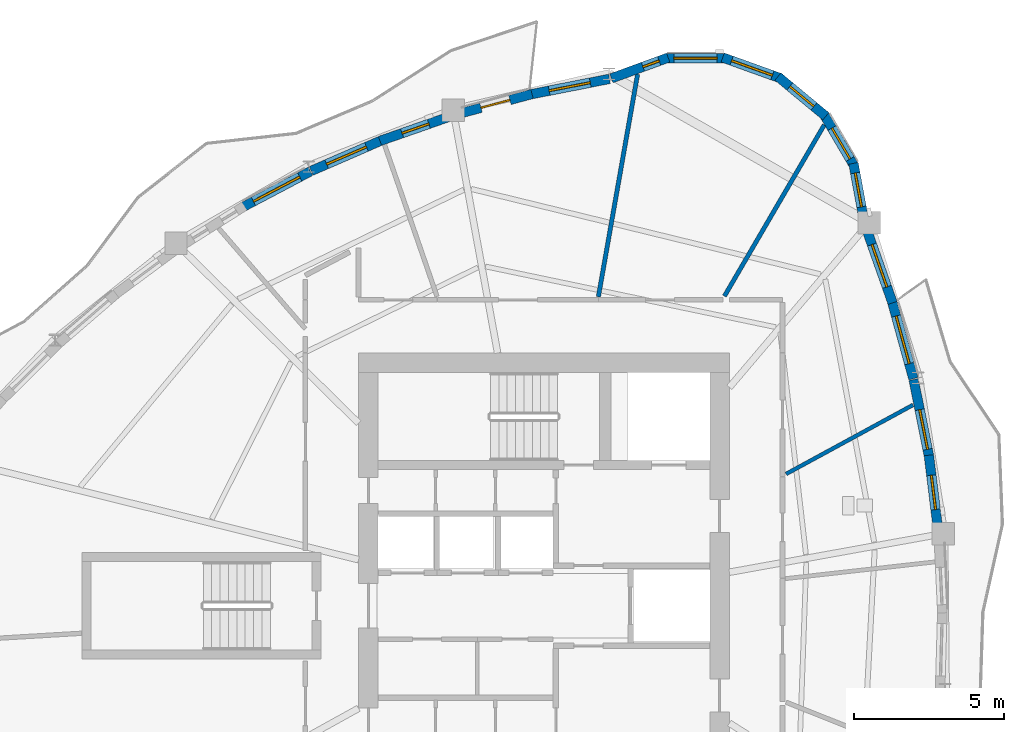
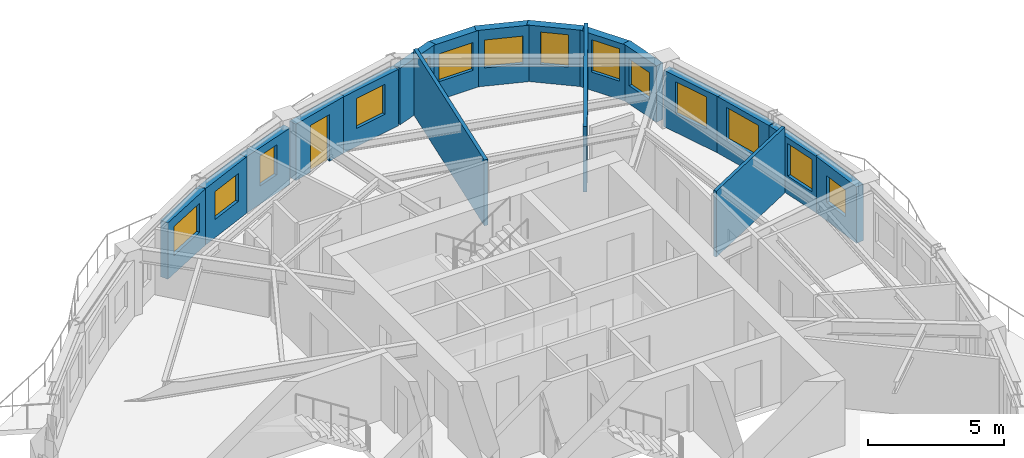
# One storey, part 7 of 12: 18 walls, 14 windows, 1 door, 15 openings.
"""IFC4 building model written with IfcOpenShell, lengths in metres."""

from ifc_helpers import new_model, si_unit, direction, frame, frame_2d, origin, place, context, subcontext, project, spatial, rectangle, extrude, source, transform, mapped, material, layer, layer_set, type_object, element, fill, save


model = new_model("IFC4")

# Units and contexts
model_context = context("Model", 3, precision=1e-05, world=origin(), true_north=direction((0.0, 1.0)))
body_context = subcontext(model_context, "Body", "Model", "MODEL_VIEW")
ifc_project = project(units=[si_unit("LENGTHUNIT", "METRE"), si_unit("AREAUNIT", "SQUARE_METRE"), si_unit("VOLUMEUNIT", "CUBIC_METRE"), si_unit("PLANEANGLEUNIT", "RADIAN"), si_unit("MASSUNIT", "GRAM", prefix="KILO")], contexts=[model_context])

# Site, building, storey
site_placement = place(None, origin())
site = spatial("IfcSite", under=ifc_project, at=site_placement, CompositionType="ELEMENT")
building_placement = place(site_placement, origin())
building = spatial("IfcBuilding", under=site, at=building_placement, Name="Qafzar Sky-Pleat Residences", CompositionType="ELEMENT")
storey_placement = place(building_placement, frame((0.0, 0.0, 184.199951171875)))
storey = spatial("IfcBuildingStorey", under=building, at=storey_placement, Name="L55", CompositionType="ELEMENT", Elevation=184.199951171875)

# Walls
ifc_material_1 = material(Name="Acoustic gypsum plasterboard partition", Category="gypsum")
ifc_layer_1 = layer(ifc_material_1, 0.14501953125)
ifc_layer_set_1 = layer_set([ifc_layer_1], Name="Acoustic gypsum plasterboard partition")
wall_type_1 = type_object("IfcWallType", Name="PART-UNIT-145", PredefinedType="PARTITIONING", material=ifc_layer_set_1)
wall_1_placement = place(storey_placement, frame((32.169677734375, 36.33056640625, 0.0), z_axis=(0.0, 0.0, 1.0), x_axis=(0.173479457804, 0.984837487975, 0.0)))
element("IfcWall", 1, at=wall_1_placement, inside=storey, type_object=wall_type_1, Name="L55 Partition Wall PART-L55-PW-013", PredefinedType="PARTITIONING", context=body_context, shape_type="SweptSolid", body=[
    extrude(rectangle(XDim=7.55859375, YDim=0.14501953125, at=frame_2d((3.779296875, 0.0))), origin(), (0.0, 0.0, 1.0), 2.949951171875),
])
wall_2_placement = place(storey_placement, frame((36.385986328125, 36.353515625, 0.0), z_axis=(0.0, 0.0, 1.0), x_axis=(0.503662452742, 0.863900534609, 0.0)))
element("IfcWall", 2, at=wall_2_placement, inside=storey, type_object=wall_type_1, Name="L55 Partition Wall PART-L55-PW-016", PredefinedType="PARTITIONING", context=body_context, shape_type="SweptSolid", body=[
    extrude(rectangle(XDim=6.623291015625, YDim=0.14501953125, at=frame_2d((3.3115234375, 0.0))), origin(), (0.0, 0.0, 1.0), 2.949951171875),
])
ifc_material_2 = material(Name="Moisture-resistant gypsum partition", Category="gypsum")
ifc_layer_2 = layer(ifc_material_2, 0.1298828125)
ifc_layer_set_2 = layer_set([ifc_layer_2], Name="Moisture-resistant gypsum partition")
wall_type_2 = type_object("IfcWallType", Name="PART-WET-130", PredefinedType="PARTITIONING", material=ifc_layer_set_2)
wall_3_placement = place(storey_placement, frame((38.447998046875, 30.4052734375, 0.0), z_axis=(0.0, 0.0, 1.0), x_axis=(0.878447426807, 0.477839008805, 0.0)))
element("IfcWall", 3, at=wall_3_placement, inside=storey, type_object=wall_type_2, Name="L55 Partition Wall PART-L55-PW-020", PredefinedType="PARTITIONING", context=body_context, shape_type="SweptSolid", body=[
    extrude(rectangle(XDim=4.830322265625, YDim=0.1298828125, at=frame_2d((2.4150390625, 0.0))), origin(), (0.0, 0.0, 1.0), 2.949951171875),
])

# Wall, opening, window
ifc_material_3 = material(Name="Precast concrete C40/50 with honed Riyadh limestone", Category="concrete")
ifc_layer_3 = layer(ifc_material_3, 0.320068359375)
ifc_layer_set_3 = layer_set([ifc_layer_3], Name="Precast concrete C40/50 with honed Riyadh limestone")
wall_type_3 = type_object("IfcWallType", Name="WALL-EXT-320", PredefinedType="SOLIDWALL", material=ifc_layer_set_3)
wall_4_placement = place(storey_placement, frame((43.5283203125, 28.554443359375, 0.0), z_axis=(0.0, 0.0, 1.0), x_axis=(-0.122939257513, 0.99241419728, 0.0)))
wall_4 = element("IfcWall", 4, at=wall_4_placement, inside=storey, type_object=wall_type_3, Name="L55 Limestone Facade Wall 29", PredefinedType="SOLIDWALL", context=body_context, shape_type="SweptSolid", body=[
    extrude(rectangle(XDim=2.496337890625, YDim=0.320068359375, at=frame_2d((1.248046875, 0.0))), origin(), (0.0, 0.0, 1.0), 2.530029296875),
])
opening_1_placement = place(wall_4_placement, frame((0.668212890625, 0.0, 0.820068359375)))
opening_1 = element("IfcOpeningElement", 5, at=opening_1_placement, cuts=wall_4, Name="Opening WN-16", PredefinedType="OPENING", context=body_context, shape_type="SweptSolid", body=[
    extrude(rectangle(XDim=1.14990234375, YDim=1.199951171875, at=frame_2d((0.574951171875, 0.60009765625))), frame((0.0, 0.169921875, 0.0), z_axis=(0.0, -1.0, 0.0), x_axis=(1.0, 0.0, 0.0)), (0.0, 0.0, 1.0), 0.340087890625),
])
ifc_material_4 = material(Name="Solar-control low-E glass in bronze aluminium frame", Category="glass")
window_type_1 = type_object("IfcWindowType", Name="WIN-16", PartitioningType="SINGLE_PANEL", PredefinedType="WINDOW", material=ifc_material_4)
shared_shape_1 = source(origin(), body_context, "Body", "SweptSolid", [
    extrude(rectangle(XDim=1.14990234375, YDim=1.199951171875, at=frame_2d((0.574951171875, 0.60009765625))), frame((0.0, 0.030029296875, 0.0), z_axis=(0.0, -1.0, 0.0), x_axis=(1.0, 0.0, 0.0)), (0.0, 0.0, 1.0), 0.06005859375),
])
window_1_placement = place(opening_1_placement, origin())
window_1 = element("IfcWindow", 6, at=window_1_placement, inside=storey, type_object=window_type_1, Name="L55 Punched Facade Window 29", OverallHeight=1.199951171875, OverallWidth=1.14990234375, PartitioningType="SINGLE_PANEL", PredefinedType="WINDOW", context=body_context, shape_type="MappedRepresentation", body=[
    mapped(shared_shape_1, transform((0.0, 0.0, 0.0), x_axis=(1.0, 0.0, 0.0), y_axis=(0.0, 1.0, 0.0), z_axis=(0.0, 0.0, 1.0), scale=1.0)),
])
fill(opening_1, window_1)

wall_5_placement = place(storey_placement, frame((43.235595703125, 30.945068359375, 0.0), z_axis=(0.0, 0.0, 1.0), x_axis=(-0.196221587905, 0.98055957924, 0.0)))
wall_5 = element("IfcWall", 7, at=wall_5_placement, inside=storey, type_object=wall_type_3, Name="L55 Limestone Facade Wall 30", PredefinedType="SOLIDWALL", context=body_context, shape_type="SweptSolid", body=[
    extrude(rectangle(XDim=2.67138671875, YDim=0.320068359375, at=frame_2d((1.335693359375, 0.0))), origin(), (0.0, 0.0, 1.0), 2.530029296875),
])
opening_2_placement = place(wall_5_placement, frame((0.291259765625, 0.0, 0.820068359375)))
opening_2 = element("IfcOpeningElement", 8, at=opening_2_placement, cuts=wall_5, Name="Opening WN-04", PredefinedType="OPENING", context=body_context, shape_type="SweptSolid", body=[
    extrude(rectangle(XDim=1.35009765625, YDim=1.449951171875, at=frame_2d((0.675048828125, 0.72509765625))), frame((0.0, 0.169921875, 0.0), z_axis=(0.0, -1.0, 0.0), x_axis=(1.0, 0.0, 0.0)), (0.0, 0.0, 1.0), 0.340087890625),
])
window_type_2 = type_object("IfcWindowType", Name="WIN-04", PartitioningType="SINGLE_PANEL", PredefinedType="WINDOW", material=ifc_material_4)
shared_shape_2 = source(origin(), body_context, "Body", "SweptSolid", [
    extrude(rectangle(XDim=1.35009765625, YDim=1.449951171875, at=frame_2d((0.675048828125, 0.72509765625))), frame((0.0, 0.030029296875, 0.0), z_axis=(0.0, -1.0, 0.0), x_axis=(1.0, 0.0, 0.0)), (0.0, 0.0, 1.0), 0.06005859375),
])
window_2_placement = place(opening_2_placement, origin())
window_2 = element("IfcWindow", 9, at=window_2_placement, inside=storey, type_object=window_type_2, Name="L55 Punched Facade Window 30", OverallHeight=1.449951171875, OverallWidth=1.35009765625, PartitioningType="SINGLE_PANEL", PredefinedType="WINDOW", context=body_context, shape_type="MappedRepresentation", body=[
    mapped(shared_shape_2, transform((0.0, 0.0, 0.0), x_axis=(1.0, 0.0, 0.0), y_axis=(0.0, 1.0, 0.0), z_axis=(0.0, 0.0, 1.0), scale=1.0)),
])
fill(opening_2, window_2)

wall_6_placement = place(storey_placement, frame((42.704833984375, 33.592041015625, 0.0), z_axis=(0.0, 0.0, 1.0), x_axis=(-0.266433209731, 0.963853383432, 0.0)))
wall_6 = element("IfcWall", 10, at=wall_6_placement, inside=storey, type_object=wall_type_3, Name="L55 Limestone Facade Wall 31", PredefinedType="SOLIDWALL", context=body_context, shape_type="SweptSolid", body=[
    extrude(rectangle(XDim=2.715087890625, YDim=0.320068359375, at=frame_2d((1.357421875, 0.0))), origin(), (0.0, 0.0, 1.0), 2.530029296875),
])
opening_3_placement = place(wall_6_placement, frame((0.5224609375, 0.0, 0.820068359375)))
opening_3 = element("IfcOpeningElement", 11, at=opening_3_placement, cuts=wall_6, Name="Opening WN-02", PredefinedType="OPENING", context=body_context, shape_type="SweptSolid", body=[
    extrude(rectangle(XDim=1.64990234375, YDim=1.449951171875, at=frame_2d((0.824951171875, 0.72509765625))), frame((0.0, 0.169921875, 0.0), z_axis=(0.0, -1.0, 0.0), x_axis=(1.0, 0.0, 0.0)), (0.0, 0.0, 1.0), 0.340087890625),
])
window_type_3 = type_object("IfcWindowType", Name="WIN-02", PartitioningType="DOUBLE_PANEL_VERTICAL", PredefinedType="WINDOW", material=ifc_material_4)
shared_shape_3 = source(origin(), body_context, "Body", "SweptSolid", [
    extrude(rectangle(XDim=1.64990234375, YDim=1.449951171875, at=frame_2d((0.824951171875, 0.72509765625))), frame((0.0, 0.030029296875, 0.0), z_axis=(0.0, -1.0, 0.0), x_axis=(1.0, 0.0, 0.0)), (0.0, 0.0, 1.0), 0.06005859375),
])
window_3_placement = place(opening_3_placement, origin())
window_3 = element("IfcWindow", 12, at=window_3_placement, inside=storey, type_object=window_type_3, Name="L55 Punched Facade Window 31", OverallHeight=1.449951171875, OverallWidth=1.64990234375, PartitioningType="SINGLE_PANEL", PredefinedType="WINDOW", context=body_context, shape_type="MappedRepresentation", body=[
    mapped(shared_shape_3, transform((0.0, 0.0, 0.0), x_axis=(1.0, 0.0, 0.0), y_axis=(0.0, 1.0, 0.0), z_axis=(0.0, 0.0, 1.0), scale=1.0)),
])
fill(opening_3, window_3)

wall_7_placement = place(storey_placement, frame((42.007568359375, 36.125732421875, 0.0), z_axis=(0.0, 0.0, 1.0), x_axis=(-0.332790959239, 0.94300062431, 0.0)))
wall_7 = element("IfcWall", 13, at=wall_7_placement, inside=storey, type_object=wall_type_3, Name="L55 Limestone Facade Wall 32", PredefinedType="SOLIDWALL", context=body_context, shape_type="SweptSolid", body=[
    extrude(rectangle(XDim=2.6279296875, YDim=0.320068359375, at=frame_2d((1.31396484375, 0.0))), origin(), (0.0, 0.0, 1.0), 2.530029296875),
])
opening_4_placement = place(wall_7_placement, frame((0.56884765625, 0.0, 0.820068359375)))
opening_4 = element("IfcOpeningElement", 14, at=opening_4_placement, cuts=wall_7, Name="Opening WN-03", PredefinedType="OPENING", context=body_context, shape_type="SweptSolid", body=[
    extrude(rectangle(XDim=1.5, YDim=1.449951171875, at=frame_2d((0.75, 0.72509765625))), frame((0.0, 0.169921875, 0.0), z_axis=(0.0, -1.0, 0.0), x_axis=(1.0, 0.0, 0.0)), (0.0, 0.0, 1.0), 0.340087890625),
])
window_type_4 = type_object("IfcWindowType", Name="WIN-03", PartitioningType="DOUBLE_PANEL_VERTICAL", PredefinedType="WINDOW", material=ifc_material_4)
shared_shape_4 = source(origin(), body_context, "Body", "SweptSolid", [
    extrude(rectangle(XDim=1.5, YDim=1.449951171875, at=frame_2d((0.75, 0.72509765625))), frame((0.0, 0.030029296875, 0.0), z_axis=(0.0, -1.0, 0.0), x_axis=(1.0, 0.0, 0.0)), (0.0, 0.0, 1.0), 0.06005859375),
])
window_4_placement = place(opening_4_placement, origin())
window_4 = element("IfcWindow", 15, at=window_4_placement, inside=storey, type_object=window_type_4, Name="L55 Punched Facade Window 32", OverallHeight=1.449951171875, OverallWidth=1.5, PartitioningType="SINGLE_PANEL", PredefinedType="WINDOW", context=body_context, shape_type="MappedRepresentation", body=[
    mapped(shared_shape_4, transform((0.0, 0.0, 0.0), x_axis=(1.0, 0.0, 0.0), y_axis=(0.0, 1.0, 0.0), z_axis=(0.0, 0.0, 1.0), scale=1.0)),
])
fill(opening_4, window_4)

wall_8_placement = place(storey_placement, frame((41.041748046875, 38.945556640625, 0.0), z_axis=(0.0, 0.0, 1.0), x_axis=(-0.182373191939, 0.983229382627, 0.0)))
wall_8 = element("IfcWall", 16, at=wall_8_placement, inside=storey, type_object=wall_type_3, Name="L55 Limestone Facade Wall 33", PredefinedType="SOLIDWALL", context=body_context, shape_type="SweptSolid", body=[
    extrude(rectangle(XDim=1.878173828125, YDim=0.320068359375, at=frame_2d((0.93896484375, 0.0))), origin(), (0.0, 0.0, 1.0), 2.530029296875),
])
opening_5_placement = place(wall_8_placement, frame((0.39892578125, 0.0, 0.820068359375)))
opening_5 = element("IfcOpeningElement", 17, at=opening_5_placement, cuts=wall_8, Name="Opening WN-16", PredefinedType="OPENING", context=body_context, shape_type="SweptSolid", body=[
    extrude(rectangle(XDim=1.14990234375, YDim=1.199951171875, at=frame_2d((0.574951171875, 0.60009765625))), frame((0.0, 0.169921875, 0.0), z_axis=(0.0, -1.0, 0.0), x_axis=(1.0, 0.0, 0.0)), (0.0, 0.0, 1.0), 0.340087890625),
])
window_5_placement = place(opening_5_placement, origin())
window_5 = element("IfcWindow", 18, at=window_5_placement, inside=storey, type_object=window_type_1, Name="L55 Punched Facade Window 33", OverallHeight=1.199951171875, OverallWidth=1.14990234375, PartitioningType="SINGLE_PANEL", PredefinedType="WINDOW", context=body_context, shape_type="MappedRepresentation", body=[
    mapped(shared_shape_1, transform((0.0, 0.0, 0.0), x_axis=(1.0, 0.0, 0.0), y_axis=(0.0, 1.0, 0.0), z_axis=(0.0, 0.0, 1.0), scale=1.0)),
])
fill(opening_5, window_5)

wall_9_placement = place(storey_placement, frame((40.74462890625, 40.670166015625, 0.0), z_axis=(0.0, 0.0, 1.0), x_axis=(-0.506312473438, 0.86235009088, 0.0)))
wall_9 = element("IfcWall", 19, at=wall_9_placement, inside=storey, type_object=wall_type_3, Name="L55 Limestone Facade Wall 34", PredefinedType="SOLIDWALL", context=body_context, shape_type="SweptSolid", body=[
    extrude(rectangle(XDim=2.0810546875, YDim=0.320068359375, at=frame_2d((1.04052734375, 0.0))), origin(), (0.0, 0.0, 1.0), 2.530029296875),
])
opening_6_placement = place(wall_9_placement, frame((0.310546875, 0.0, 0.820068359375)))
opening_6 = element("IfcOpeningElement", 20, at=opening_6_placement, cuts=wall_9, Name="Opening WN-05", PredefinedType="OPENING", context=body_context, shape_type="SweptSolid", body=[
    extrude(rectangle(XDim=1.199951171875, YDim=1.449951171875, at=frame_2d((0.60009765625, 0.72509765625))), frame((0.0, 0.169921875, 0.0), z_axis=(0.0, -1.0, 0.0), x_axis=(1.0, 0.0, 0.0)), (0.0, 0.0, 1.0), 0.340087890625),
])
window_type_5 = type_object("IfcWindowType", Name="WIN-05", PartitioningType="SINGLE_PANEL", PredefinedType="WINDOW", material=ifc_material_4)
shared_shape_5 = source(origin(), body_context, "Body", "SweptSolid", [
    extrude(rectangle(XDim=1.199951171875, YDim=1.449951171875, at=frame_2d((0.60009765625, 0.72509765625))), frame((0.0, 0.030029296875, 0.0), z_axis=(0.0, -1.0, 0.0), x_axis=(1.0, 0.0, 0.0)), (0.0, 0.0, 1.0), 0.06005859375),
])
window_6_placement = place(opening_6_placement, origin())
window_6 = element("IfcWindow", 21, at=window_6_placement, inside=storey, type_object=window_type_5, Name="L55 Punched Facade Window 34", OverallHeight=1.449951171875, OverallWidth=1.199951171875, PartitioningType="SINGLE_PANEL", PredefinedType="WINDOW", context=body_context, shape_type="MappedRepresentation", body=[
    mapped(shared_shape_5, transform((0.0, 0.0, 0.0), x_axis=(1.0, 0.0, 0.0), y_axis=(0.0, 1.0, 0.0), z_axis=(0.0, 0.0, 1.0), scale=1.0)),
])
fill(opening_6, window_6)

wall_10_placement = place(storey_placement, frame((39.775390625, 42.36572265625, 0.0), z_axis=(0.0, 0.0, 1.0), x_axis=(-0.769690471148, 0.63841724493, 0.0)))
wall_10 = element("IfcWall", 22, at=wall_10_placement, inside=storey, type_object=wall_type_3, Name="L55 Limestone Facade Wall 35", PredefinedType="SOLIDWALL", context=body_context, shape_type="SweptSolid", body=[
    extrude(rectangle(XDim=2.0810546875, YDim=0.320068359375, at=frame_2d((1.04052734375, 0.0))), origin(), (0.0, 0.0, 1.0), 2.530029296875),
])
opening_7_placement = place(wall_10_placement, frame((0.515625, 0.0, 0.820068359375)))
opening_7 = element("IfcOpeningElement", 23, at=opening_7_placement, cuts=wall_10, Name="Opening WN-06", PredefinedType="OPENING", context=body_context, shape_type="SweptSolid", body=[
    extrude(rectangle(XDim=1.050048828125, YDim=1.449951171875, at=frame_2d((0.52490234375, 0.72509765625))), frame((0.0, 0.169921875, 0.0), z_axis=(0.0, -1.0, 0.0), x_axis=(1.0, 0.0, 0.0)), (0.0, 0.0, 1.0), 0.340087890625),
])
window_type_6 = type_object("IfcWindowType", Name="WIN-06", PartitioningType="SINGLE_PANEL", PredefinedType="WINDOW", material=ifc_material_4)
shared_shape_6 = source(origin(), body_context, "Body", "SweptSolid", [
    extrude(rectangle(XDim=1.050048828125, YDim=1.449951171875, at=frame_2d((0.52490234375, 0.72509765625))), frame((0.0, 0.030029296875, 0.0), z_axis=(0.0, -1.0, 0.0), x_axis=(1.0, 0.0, 0.0)), (0.0, 0.0, 1.0), 0.06005859375),
])
window_7_placement = place(opening_7_placement, origin())
window_7 = element("IfcWindow", 24, at=window_7_placement, inside=storey, type_object=window_type_6, Name="L55 Punched Facade Window 35", OverallHeight=1.449951171875, OverallWidth=1.050048828125, PartitioningType="SINGLE_PANEL", PredefinedType="WINDOW", context=body_context, shape_type="MappedRepresentation", body=[
    mapped(shared_shape_6, transform((0.0, 0.0, 0.0), x_axis=(1.0, 0.0, 0.0), y_axis=(0.0, 1.0, 0.0), z_axis=(0.0, 0.0, 1.0), scale=1.0)),
])
fill(opening_7, window_7)

wall_11_placement = place(storey_placement, frame((38.28662109375, 43.6298828125, 0.0), z_axis=(0.0, 0.0, 1.0), x_axis=(-0.941108549294, 0.338104567323, 0.0)))
wall_11 = element("IfcWall", 25, at=wall_11_placement, inside=storey, type_object=wall_type_3, Name="L55 Limestone Facade Wall 36", PredefinedType="SOLIDWALL", context=body_context, shape_type="SweptSolid", body=[
    extrude(rectangle(XDim=2.0810546875, YDim=0.320068359375, at=frame_2d((1.04052734375, 0.0))), origin(), (0.0, 0.0, 1.0), 2.530029296875),
])
opening_8_placement = place(wall_11_placement, frame((0.3154296875, 0.0, 0.820068359375)))
opening_8 = element("IfcOpeningElement", 26, at=opening_8_placement, cuts=wall_11, Name="Opening WN-15", PredefinedType="OPENING", context=body_context, shape_type="SweptSolid", body=[
    extrude(rectangle(XDim=1.449951171875, YDim=1.25, at=frame_2d((0.72509765625, 0.625))), frame((0.0, 0.169921875, 0.0), z_axis=(0.0, -1.0, 0.0), x_axis=(1.0, 0.0, 0.0)), (0.0, 0.0, 1.0), 0.340087890625),
])
window_type_7 = type_object("IfcWindowType", Name="WIN-15", PartitioningType="SINGLE_PANEL", PredefinedType="WINDOW", material=ifc_material_4)
shared_shape_7 = source(origin(), body_context, "Body", "SweptSolid", [
    extrude(rectangle(XDim=1.449951171875, YDim=1.25, at=frame_2d((0.72509765625, 0.625))), frame((0.0, 0.030029296875, 0.0), z_axis=(0.0, -1.0, 0.0), x_axis=(1.0, 0.0, 0.0)), (0.0, 0.0, 1.0), 0.06005859375),
])
window_8_placement = place(opening_8_placement, origin())
window_8 = element("IfcWindow", 27, at=window_8_placement, inside=storey, type_object=window_type_7, Name="L55 Punched Facade Window 36", OverallHeight=1.25, OverallWidth=1.449951171875, PartitioningType="SINGLE_PANEL", PredefinedType="WINDOW", context=body_context, shape_type="MappedRepresentation", body=[
    mapped(shared_shape_7, transform((0.0, 0.0, 0.0), x_axis=(1.0, 0.0, 0.0), y_axis=(0.0, 1.0, 0.0), z_axis=(0.0, 0.0, 1.0), scale=1.0)),
])
fill(opening_8, window_8)

wall_12_placement = place(storey_placement, frame((36.456298828125, 44.311279296875, 0.0), z_axis=(0.0, 0.0, 1.0), x_axis=(-0.999997246765, -0.002346585115, 0.0)))
wall_12 = element("IfcWall", 28, at=wall_12_placement, inside=storey, type_object=wall_type_3, Name="L55 Limestone Facade Wall 37", PredefinedType="SOLIDWALL", context=body_context, shape_type="SweptSolid", body=[
    extrude(rectangle(XDim=2.080810546875, YDim=0.320068359375, at=frame_2d((1.04052734375, 0.0))), origin(), (0.0, 0.0, 1.0), 2.530029296875),
])
opening_9_placement = place(wall_12_placement, frame((0.3154296875, 0.0, 0.820068359375)))
opening_9 = element("IfcOpeningElement", 29, at=opening_9_placement, cuts=wall_12, Name="Opening WN-15", PredefinedType="OPENING", context=body_context, shape_type="SweptSolid", body=[
    extrude(rectangle(XDim=1.449951171875, YDim=1.25, at=frame_2d((0.72509765625, 0.625))), frame((0.0, 0.169921875, 0.0), z_axis=(0.0, -1.0, 0.0), x_axis=(1.0, 0.0, 0.0)), (0.0, 0.0, 1.0), 0.340087890625),
])
window_9_placement = place(opening_9_placement, origin())
window_9 = element("IfcWindow", 30, at=window_9_placement, inside=storey, type_object=window_type_7, Name="L55 Punched Facade Window 37", OverallHeight=1.25, OverallWidth=1.449951171875, PartitioningType="SINGLE_PANEL", PredefinedType="WINDOW", context=body_context, shape_type="MappedRepresentation", body=[
    mapped(shared_shape_7, transform((0.0, 0.0, 0.0), x_axis=(1.0, 0.0, 0.0), y_axis=(0.0, 1.0, 0.0), z_axis=(0.0, 0.0, 1.0), scale=1.0)),
])
fill(opening_9, window_9)

wall_13_placement = place(storey_placement, frame((34.50341796875, 44.3291015625, 0.0), z_axis=(0.0, 0.0, 1.0), x_axis=(-0.939387553708, -0.342857148007, 0.0)))
wall_13 = element("IfcWall", 31, at=wall_13_placement, inside=storey, type_object=wall_type_3, Name="L55 Limestone Facade Wall 38", PredefinedType="SOLIDWALL", context=body_context, shape_type="SweptSolid", body=[
    extrude(rectangle(XDim=2.02294921875, YDim=0.320068359375, at=frame_2d((1.011474609375, 0.0))), origin(), (0.0, 0.0, 1.0), 2.530029296875),
])
opening_10_placement = place(wall_13_placement, frame((0.3193359375, 0.0, 0.820068359375)))
opening_10 = element("IfcOpeningElement", 32, at=opening_10_placement, cuts=wall_13, Name="Opening WN-17", PredefinedType="OPENING", context=body_context, shape_type="SweptSolid", body=[
    extrude(rectangle(XDim=0.580078125, YDim=1.35009765625, at=frame_2d((0.2900390625, 0.675048828125))), frame((0.0, 0.169921875, 0.0), z_axis=(0.0, -1.0, 0.0), x_axis=(1.0, 0.0, 0.0)), (0.0, 0.0, 1.0), 0.340087890625),
])
window_type_8 = type_object("IfcWindowType", Name="WIN-17", PartitioningType="SINGLE_PANEL", PredefinedType="WINDOW", material=ifc_material_4)
shared_shape_8 = source(origin(), body_context, "Body", "SweptSolid", [
    extrude(rectangle(XDim=0.580078125, YDim=1.35009765625, at=frame_2d((0.2900390625, 0.675048828125))), frame((0.0, 0.030029296875, 0.0), z_axis=(0.0, -1.0, 0.0), x_axis=(1.0, 0.0, 0.0)), (0.0, 0.0, 1.0), 0.06005859375),
])
window_10_placement = place(opening_10_placement, origin())
window_10 = element("IfcWindow", 33, at=window_10_placement, inside=storey, type_object=window_type_8, Name="L55 Punched Facade Window 38", OverallHeight=1.35009765625, OverallWidth=0.580078125, PartitioningType="SINGLE_PANEL", PredefinedType="WINDOW", context=body_context, shape_type="MappedRepresentation", body=[
    mapped(shared_shape_8, transform((0.0, 0.0, 0.0), x_axis=(1.0, 0.0, 0.0), y_axis=(0.0, 1.0, 0.0), z_axis=(0.0, 0.0, 1.0), scale=1.0)),
])
fill(opening_10, window_10)

wall_14_placement = place(storey_placement, frame((32.54052734375, 43.6181640625, 0.0), z_axis=(0.0, 0.0, 1.0), x_axis=(-0.981233088351, -0.192825377804, 0.0)))
wall_14 = element("IfcWall", 34, at=wall_14_placement, inside=storey, type_object=wall_type_3, Name="L55 Limestone Facade Wall 39", PredefinedType="SOLIDWALL", context=body_context, shape_type="SweptSolid", body=[
    extrude(rectangle(XDim=2.72607421875, YDim=0.320068359375, at=frame_2d((1.363037109375, 0.0))), origin(), (0.0, 0.0, 1.0), 2.530029296875),
])
opening_11_placement = place(wall_14_placement, frame((0.653076171875, 0.0, 0.820068359375)))
opening_11 = element("IfcOpeningElement", 35, at=opening_11_placement, cuts=wall_14, Name="Opening WN-10", PredefinedType="OPENING", context=body_context, shape_type="SweptSolid", body=[
    extrude(rectangle(XDim=1.39990234375, YDim=1.35009765625, at=frame_2d((0.699951171875, 0.675048828125))), frame((0.0, 0.169921875, 0.0), z_axis=(0.0, -1.0, 0.0), x_axis=(1.0, 0.0, 0.0)), (0.0, 0.0, 1.0), 0.340087890625),
])
window_type_9 = type_object("IfcWindowType", Name="WIN-10", PartitioningType="SINGLE_PANEL", PredefinedType="WINDOW", material=ifc_material_4)
shared_shape_9 = source(origin(), body_context, "Body", "SweptSolid", [
    extrude(rectangle(XDim=1.39990234375, YDim=1.35009765625, at=frame_2d((0.699951171875, 0.675048828125))), frame((0.0, 0.030029296875, 0.0), z_axis=(0.0, -1.0, 0.0), x_axis=(1.0, 0.0, 0.0)), (0.0, 0.0, 1.0), 0.06005859375),
])
window_11_placement = place(opening_11_placement, origin())
window_11 = element("IfcWindow", 36, at=window_11_placement, inside=storey, type_object=window_type_9, Name="L55 Punched Facade Window 39", OverallHeight=1.35009765625, OverallWidth=1.39990234375, PartitioningType="SINGLE_PANEL", PredefinedType="WINDOW", context=body_context, shape_type="MappedRepresentation", body=[
    mapped(shared_shape_9, transform((0.0, 0.0, 0.0), x_axis=(1.0, 0.0, 0.0), y_axis=(0.0, 1.0, 0.0), z_axis=(0.0, 0.0, 1.0), scale=1.0)),
])
fill(opening_11, window_11)

# Wall, opening, door
wall_15_placement = place(storey_placement, frame((29.950439453125, 43.1123046875, 0.0), z_axis=(0.0, 0.0, 1.0), x_axis=(-0.96543906005, -0.260628895806, 0.0)))
wall_15 = element("IfcWall", 37, at=wall_15_placement, inside=storey, type_object=wall_type_3, Name="L55 Limestone Facade Wall 40", PredefinedType="SOLIDWALL", context=body_context, shape_type="SweptSolid", body=[
    extrude(rectangle(XDim=2.5244140625, YDim=0.320068359375, at=frame_2d((1.26220703125, 0.0))), origin(), (0.0, 0.0, 1.0), 2.530029296875),
])
opening_12_placement = place(wall_15_placement, frame((0.767333984375, 0.0, 0.0)))
opening_12 = element("IfcOpeningElement", 38, at=opening_12_placement, cuts=wall_15, Name="Opening ED-05", PredefinedType="OPENING", context=body_context, shape_type="SweptSolid", body=[
    extrude(rectangle(XDim=1.0, YDim=2.10009765625, at=frame_2d((0.5, 1.050048828125))), frame((0.0, 0.169921875, 0.0), z_axis=(0.0, -1.0, 0.0), x_axis=(1.0, 0.0, 0.0)), (0.0, 0.0, 1.0), 0.340087890625),
])
ifc_material_5 = material(Name="Glazed bronze aluminium door", Category="aluminium")
door_type = type_object("IfcDoorType", Name="DR-BAL-1000", OperationType="NOTDEFINED", PredefinedType="DOOR", material=ifc_material_5)
shared_shape_10 = source(origin(), body_context, "Body", "SweptSolid", [
    extrude(rectangle(XDim=1.0, YDim=2.10009765625, at=frame_2d((0.5, 1.050048828125))), frame((0.0, 0.02490234375, 0.0), z_axis=(0.0, -1.0, 0.0), x_axis=(1.0, 0.0, 0.0)), (0.0, 0.0, 1.0), 0.050048828125),
])
door_placement = place(opening_12_placement, origin())
door = element("IfcDoor", 39, at=door_placement, inside=storey, type_object=door_type, Name="L55 Glazed Balcony Door 2", OperationType="SINGLE_SWING_LEFT", OverallHeight=2.10009765625, OverallWidth=1.0, PredefinedType="DOOR", context=body_context, shape_type="MappedRepresentation", body=[
    mapped(shared_shape_10, transform((0.0, 0.0, 0.0), x_axis=(1.0, 0.0, 0.0), y_axis=(0.0, 1.0, 0.0), z_axis=(0.0, 0.0, 1.0), scale=1.0)),
])
fill(opening_12, door)

# Wall, opening, window
wall_16_placement = place(storey_placement, frame((27.208984375, 42.360595703125, 0.0), z_axis=(0.0, 0.0, 1.0), x_axis=(-0.944111191945, -0.329627148829, 0.0)))
wall_16 = element("IfcWall", 40, at=wall_16_placement, inside=storey, type_object=wall_type_3, Name="L55 Limestone Facade Wall 41", PredefinedType="SOLIDWALL", context=body_context, shape_type="SweptSolid", body=[
    extrude(rectangle(XDim=2.481201171875, YDim=0.320068359375, at=frame_2d((1.24072265625, 0.0))), origin(), (0.0, 0.0, 1.0), 2.530029296875),
])
opening_13_placement = place(wall_16_placement, frame((0.74951171875, 0.0, 0.820068359375)))
opening_13 = element("IfcOpeningElement", 41, at=opening_13_placement, cuts=wall_16, Name="Opening WN-12", PredefinedType="OPENING", context=body_context, shape_type="SweptSolid", body=[
    extrude(rectangle(XDim=0.949951171875, YDim=1.35009765625, at=frame_2d((0.47509765625, 0.675048828125))), frame((0.0, 0.169921875, 0.0), z_axis=(0.0, -1.0, 0.0), x_axis=(1.0, 0.0, 0.0)), (0.0, 0.0, 1.0), 0.340087890625),
])
window_type_10 = type_object("IfcWindowType", Name="WIN-12", PartitioningType="SINGLE_PANEL", PredefinedType="WINDOW", material=ifc_material_4)
shared_shape_11 = source(origin(), body_context, "Body", "SweptSolid", [
    extrude(rectangle(XDim=0.949951171875, YDim=1.35009765625, at=frame_2d((0.47509765625, 0.675048828125))), frame((0.0, 0.030029296875, 0.0), z_axis=(0.0, -1.0, 0.0), x_axis=(1.0, 0.0, 0.0)), (0.0, 0.0, 1.0), 0.06005859375),
])
window_12_placement = place(opening_13_placement, origin())
window_12 = element("IfcWindow", 42, at=window_12_placement, inside=storey, type_object=window_type_10, Name="L55 Punched Facade Window 41", OverallHeight=1.35009765625, OverallWidth=0.949951171875, PartitioningType="SINGLE_PANEL", PredefinedType="WINDOW", context=body_context, shape_type="MappedRepresentation", body=[
    mapped(shared_shape_11, transform((0.0, 0.0, 0.0), x_axis=(1.0, 0.0, 0.0), y_axis=(0.0, 1.0, 0.0), z_axis=(0.0, 0.0, 1.0), scale=1.0)),
])
fill(opening_13, window_12)

wall_17_placement = place(storey_placement, frame((24.9482421875, 41.57470703125, 0.0), z_axis=(0.0, 0.0, 1.0), x_axis=(-0.917095460669, -0.398667676168, 0.0)))
wall_17 = element("IfcWall", 43, at=wall_17_placement, inside=storey, type_object=wall_type_3, Name="L55 Limestone Facade Wall 42", PredefinedType="SOLIDWALL", context=body_context, shape_type="SweptSolid", body=[
    extrude(rectangle(XDim=2.59716796875, YDim=0.320068359375, at=frame_2d((1.298583984375, 0.0))), origin(), (0.0, 0.0, 1.0), 2.530029296875),
])
opening_14_placement = place(wall_17_placement, frame((0.58349609375, 0.0, 0.820068359375)))
opening_14 = element("IfcOpeningElement", 44, at=opening_14_placement, cuts=wall_17, Name="Opening WN-15", PredefinedType="OPENING", context=body_context, shape_type="SweptSolid", body=[
    extrude(rectangle(XDim=1.449951171875, YDim=1.25, at=frame_2d((0.72509765625, 0.625))), frame((0.0, 0.169921875, 0.0), z_axis=(0.0, -1.0, 0.0), x_axis=(1.0, 0.0, 0.0)), (0.0, 0.0, 1.0), 0.340087890625),
])
window_13_placement = place(opening_14_placement, origin())
window_13 = element("IfcWindow", 45, at=window_13_placement, inside=storey, type_object=window_type_7, Name="L55 Punched Facade Window 42", OverallHeight=1.25, OverallWidth=1.449951171875, PartitioningType="SINGLE_PANEL", PredefinedType="WINDOW", context=body_context, shape_type="MappedRepresentation", body=[
    mapped(shared_shape_7, transform((0.0, 0.0, 0.0), x_axis=(1.0, 0.0, 0.0), y_axis=(0.0, 1.0, 0.0), z_axis=(0.0, 0.0, 1.0), scale=1.0)),
])
fill(opening_14, window_13)

wall_18_placement = place(storey_placement, frame((22.54150390625, 40.52734375, 0.0), z_axis=(0.0, 0.0, 1.0), x_axis=(-0.884378248125, -0.466770944087, 0.0)))
wall_18 = element("IfcWall", 46, at=wall_18_placement, inside=storey, type_object=wall_type_3, Name="L55 Limestone Facade Wall 43", PredefinedType="SOLIDWALL", context=body_context, shape_type="SweptSolid", body=[
    extrude(rectangle(XDim=2.582275390625, YDim=0.320068359375, at=frame_2d((1.291015625, 0.0))), origin(), (0.0, 0.0, 1.0), 2.530029296875),
])
opening_15_placement = place(wall_18_placement, frame((0.406005859375, 0.0, 0.820068359375)))
opening_15 = element("IfcOpeningElement", 47, at=opening_15_placement, cuts=wall_18, Name="Opening WN-14", PredefinedType="OPENING", context=body_context, shape_type="SweptSolid", body=[
    extrude(rectangle(XDim=1.75, YDim=1.300048828125, at=frame_2d((0.875, 0.64990234375))), frame((0.0, 0.169921875, 0.0), z_axis=(0.0, -1.0, 0.0), x_axis=(1.0, 0.0, 0.0)), (0.0, 0.0, 1.0), 0.340087890625),
])
window_type_11 = type_object("IfcWindowType", Name="WIN-14", PartitioningType="DOUBLE_PANEL_VERTICAL", PredefinedType="WINDOW", material=ifc_material_4)
shared_shape_12 = source(origin(), body_context, "Body", "SweptSolid", [
    extrude(rectangle(XDim=1.75, YDim=1.300048828125, at=frame_2d((0.875, 0.64990234375))), frame((0.0, 0.030029296875, 0.0), z_axis=(0.0, -1.0, 0.0), x_axis=(1.0, 0.0, 0.0)), (0.0, 0.0, 1.0), 0.06005859375),
])
window_14_placement = place(opening_15_placement, origin())
window_14 = element("IfcWindow", 48, at=window_14_placement, inside=storey, type_object=window_type_11, Name="L55 Punched Facade Window 43", OverallHeight=1.300048828125, OverallWidth=1.75, PartitioningType="SINGLE_PANEL", PredefinedType="WINDOW", context=body_context, shape_type="MappedRepresentation", body=[
    mapped(shared_shape_12, transform((0.0, 0.0, 0.0), x_axis=(1.0, 0.0, 0.0), y_axis=(0.0, 1.0, 0.0), z_axis=(0.0, 0.0, 1.0), scale=1.0)),
])
fill(opening_15, window_14)

save(model, "model.ifc")
